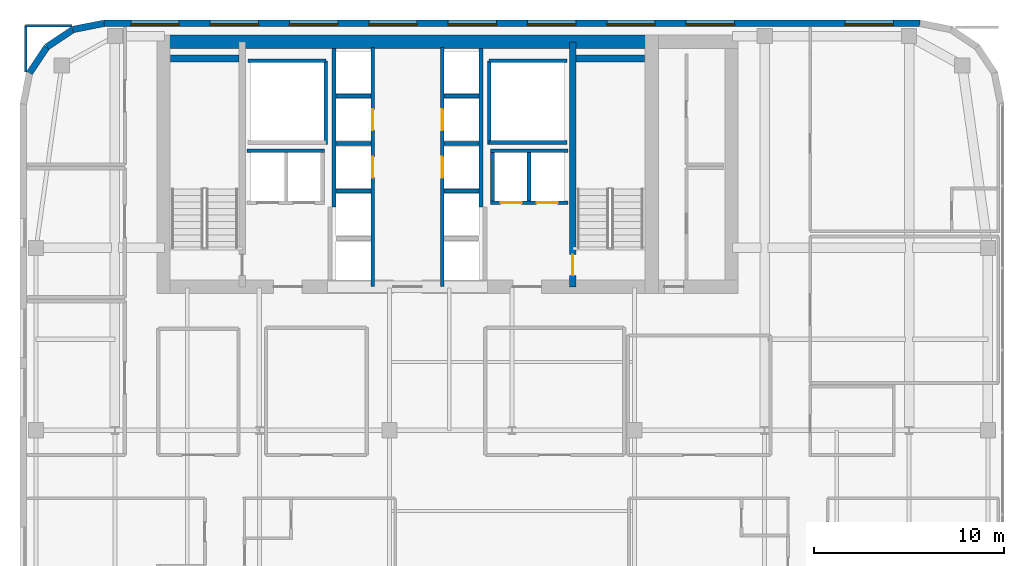
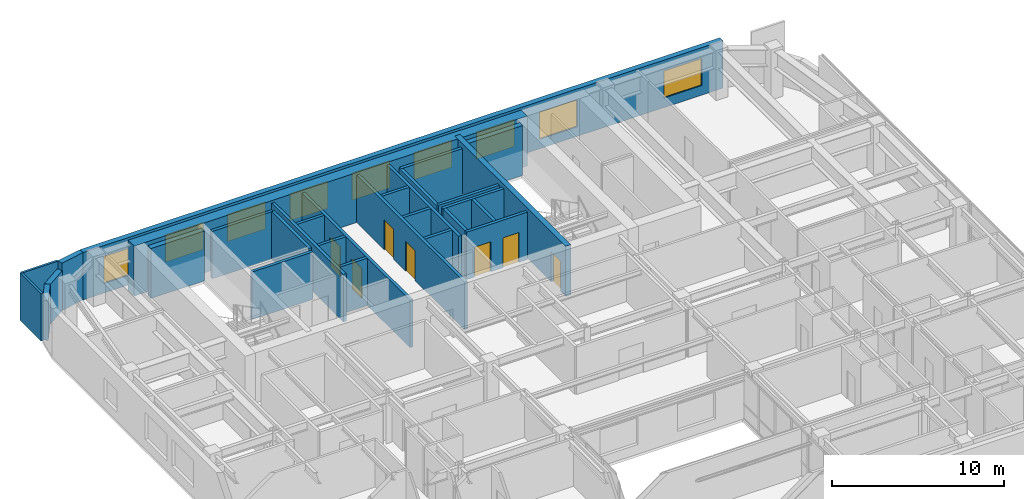
# One storey, part 17 of 20: 30 walls, 9 windows, 7 doors, 16 openings.
"""IFC4 building model written with IfcOpenShell, lengths in metres."""

from ifc_helpers import new_model, si_unit, direction, frame, frame_2d, origin, place, context, subcontext, project, spatial, rectangle, extrude, source, transform, mapped, material, layer, layer_set, type_object, type_shapes, element, fill, save


model = new_model("IFC4")

# Units and contexts
model_context = context("Model", 3, precision=1e-05, world=origin(), true_north=direction((0.0, 1.0)))
body_context = subcontext(model_context, "Body", "Model", "MODEL_VIEW")
ifc_project = project(units=[si_unit("LENGTHUNIT", "METRE"), si_unit("AREAUNIT", "SQUARE_METRE"), si_unit("VOLUMEUNIT", "CUBIC_METRE"), si_unit("PLANEANGLEUNIT", "RADIAN"), si_unit("MASSUNIT", "GRAM", prefix="KILO")], contexts=[model_context])

# Site, building, storey
site_placement = place(None, origin())
site = spatial("IfcSite", under=ifc_project, at=site_placement, CompositionType="ELEMENT")
building_placement = place(site_placement, origin())
building = spatial("IfcBuilding", under=site, at=building_placement, Name="Tolvann Quenvar Hotel", CompositionType="ELEMENT")
storey_placement = place(building_placement, frame((0.0, 0.0, 171.89990234375)))
storey = spatial("IfcBuildingStorey", under=building, at=storey_placement, Name="L45", CompositionType="ELEMENT", Elevation=171.89990234375)

# Wall
ifc_material_1 = material(Name="Concrete S65 (65 MPa)", Category="concrete")
ifc_layer_1 = layer(ifc_material_1, 0.699951171875)
ifc_layer_set_1 = layer_set([ifc_layer_1], Name="Concrete S65 (65 MPa)")
wall_type_1 = type_object("IfcWallType", Name="WALL_CORE_700", PredefinedType="SHEAR", material=ifc_layer_set_1)
wall_1_placement = place(storey_placement, frame((9.800048828125, 44.85009765625, 0.0), z_axis=(0.0, 0.0, 1.0), x_axis=(1.0, 0.0, 0.0)))
element("IfcWall", 1, at=wall_1_placement, inside=storey, type_object=wall_type_1, Name="Rear Core N Shear Wall (L45)", PredefinedType="SHEAR", context=body_context, shape_type="SweptSolid", body=[
    extrude(rectangle(XDim=26.39990234375, YDim=0.699951171875, at=frame_2d((13.199951171875, 0.0))), origin(), (0.0, 0.0, 1.0), 3.550048828125),
])

# Wall, opening, door
ifc_layer_2 = layer(ifc_material_1, 0.35009765625)
ifc_layer_set_2 = layer_set([ifc_layer_2], Name="Concrete S65 (65 MPa)")
wall_type_2 = type_object("IfcWallType", Name="WALL_CORE_INT_350", PredefinedType="SHEAR", material=ifc_layer_set_2)
wall_2_placement = place(storey_placement, frame((31.699951171875, 31.949951171875, 0.0), z_axis=(0.0, 0.0, 1.0), x_axis=(0.0, 1.0, 0.0)))
wall_2 = element("IfcWall", 2, at=wall_2_placement, inside=storey, type_object=wall_type_2, Name="Core Internal Web Shear Wall WEB-E (L45)", PredefinedType="SHEAR", context=body_context, shape_type="SweptSolid", body=[
    extrude(rectangle(XDim=12.900146484375, YDim=0.35009765625, at=frame_2d((6.4501953125, 0.0))), origin(), (0.0, 0.0, 1.0), 3.550048828125),
])
opening_1_placement = place(wall_2_placement, frame((1.7001953125, 0.0, 0.0), z_axis=(0.0, 0.0, 1.0), x_axis=(-1.0, 0.0, 0.0)))
opening_1 = element("IfcOpeningElement", 3, at=opening_1_placement, cuts=wall_2, Name="Opening FD-120", PredefinedType="OPENING", context=body_context, shape_type="SweptSolid", body=[
    extrude(rectangle(XDim=1.10009765625, YDim=2.1201171875, at=frame_2d((0.550048828125, 1.06005859375))), frame((0.0, 0.18505859375, 0.0), z_axis=(0.0, -1.0, 0.0), x_axis=(1.0, 0.0, 0.0)), (0.0, 0.0, 1.0), 0.3701171875),
])
ifc_material_2 = material(Name="Pressed galvanised steel fire-rated door set", Category="steel")
door_type_1 = type_object("IfcDoorType", Name="DOOR_FIRE_STAIR_1100", OperationType="NOTDEFINED", PredefinedType="DOOR", material=ifc_material_2)
shared_shape_1 = source(origin(), body_context, "Body", "SweptSolid", [
    extrude(rectangle(XDim=1.10009765625, YDim=2.1201171875, at=frame_2d((0.550048828125, 1.06005859375))), frame((0.0, 0.02490234375, 0.0), z_axis=(0.0, -1.0, 0.0), x_axis=(1.0, 0.0, 0.0)), (0.0, 0.0, 1.0), 0.050048828125),
])
type_shapes(door_type_1, [shared_shape_1])
door_1_placement = place(opening_1_placement, origin())
door_1 = element("IfcDoor", 4, at=door_1_placement, inside=storey, type_object=door_type_1, Name="Exit Stair ST-C2 Fire Door (L45)", OperationType="SINGLE_SWING_LEFT", OverallHeight=2.1201171875, OverallWidth=1.10009765625, PredefinedType="DOOR", context=body_context, shape_type="MappedRepresentation", body=[
    mapped(shared_shape_1, transform((0.0, 0.0, 0.0), x_axis=(1.0, 0.0, 0.0), y_axis=(0.0, 1.0, 0.0), z_axis=(0.0, 0.0, 1.0), scale=1.0)),
])
fill(opening_1, door_1)

# Walls
for number, where, z_axis, x_axis, name in (
    (5, (10.52001953125, 43.97509765625, 0.0), (0.0, 0.0, 1.0), (1.0, 0.0, 0.0), "Core Stair North Closing Shear Wall STC1-N (L45)"),
    (6, (31.8798828125, 43.97509765625, 0.0), (0.0, 0.0, 1.0), (1.0, 0.0, 0.0), "Core Stair North Closing Shear Wall STC2-N (L45)"),
):
    element("IfcWall", number, at=place(storey_placement, frame(where, z_axis=z_axis, x_axis=x_axis)), inside=storey, type_object=wall_type_2, Name=name, PredefinedType="SHEAR", context=body_context, shape_type="SweptSolid", body=[
        extrude(rectangle(XDim=3.60009765625, YDim=0.35009765625, at=frame_2d((1.800048828125, 0.0))), origin(), (0.0, 0.0, 1.0), 3.550048828125),
    ])

# Wall, openings, windows
ifc_material_3 = material(Name="Kiln-fired red and buff architectural clay brickwork and terracotta masonry", Category="masonry")
ifc_layer_3 = layer(ifc_material_3, 0.35009765625)
ifc_layer_set_3 = layer_set([ifc_layer_3], Name="Kiln-fired red and buff architectural clay brickwork and terracotta masonry")
wall_type_3 = type_object("IfcWallType", Name="WALL_EXT_BRICK_350", PredefinedType="SOLIDWALL", material=ifc_layer_set_3)
wall_3_placement = place(storey_placement, frame((49.98291015625, 45.824951171875, 0.0), z_axis=(0.0, 0.0, 1.0), x_axis=(-1.0, 0.0, 0.0)))
wall_3 = element("IfcWall", 7, at=wall_3_placement, inside=storey, type_object=wall_type_3, Name="Exterior Chicago Brick Wall L45-E18", PredefinedType="SOLIDWALL", context=body_context, shape_type="SweptSolid", body=[
    extrude(rectangle(XDim=42.9658203125, YDim=0.35009765625, at=frame_2d((21.48291015625, 0.0))), origin(), (0.0, 0.0, 1.0), 3.3701171875),
])
opening_2_placement = place(wall_3_placement, frame((1.4130859375, 0.0, 0.679931640625)))
opening_2 = element("IfcOpeningElement", 8, at=opening_2_placement, cuts=wall_3, Name="Opening W-09", PredefinedType="OPENING", context=body_context, shape_type="SweptSolid", body=[
    extrude(rectangle(XDim=2.550048828125, YDim=1.919921875, at=frame_2d((1.27490234375, 0.9599609375))), frame((0.0, 0.18505859375, 0.0), z_axis=(0.0, -1.0, 0.0), x_axis=(1.0, 0.0, 0.0)), (0.0, 0.0, 1.0), 0.3701171875),
])
opening_3_placement = place(wall_3_placement, frame((9.76611328125, 0.0, 0.679931640625)))
opening_3 = element("IfcOpeningElement", 9, at=opening_3_placement, cuts=wall_3, Name="Opening W-09", PredefinedType="OPENING", context=body_context, shape_type="SweptSolid", body=[
    extrude(rectangle(XDim=2.550048828125, YDim=1.919921875, at=frame_2d((1.27490234375, 0.9599609375))), frame((0.0, 0.18505859375, 0.0), z_axis=(0.0, -1.0, 0.0), x_axis=(1.0, 0.0, 0.0)), (0.0, 0.0, 1.0), 0.3701171875),
])
opening_4_placement = place(wall_3_placement, frame((13.943115234375, 0.0, 0.679931640625)))
opening_4 = element("IfcOpeningElement", 10, at=opening_4_placement, cuts=wall_3, Name="Opening W-09", PredefinedType="OPENING", context=body_context, shape_type="SweptSolid", body=[
    extrude(rectangle(XDim=2.550048828125, YDim=1.919921875, at=frame_2d((1.27490234375, 0.9599609375))), frame((0.0, 0.18505859375, 0.0), z_axis=(0.0, -1.0, 0.0), x_axis=(1.0, 0.0, 0.0)), (0.0, 0.0, 1.0), 0.3701171875),
])
opening_5_placement = place(wall_3_placement, frame((18.1201171875, 0.0, 0.679931640625)))
opening_5 = element("IfcOpeningElement", 11, at=opening_5_placement, cuts=wall_3, Name="Opening W-09", PredefinedType="OPENING", context=body_context, shape_type="SweptSolid", body=[
    extrude(rectangle(XDim=2.550048828125, YDim=1.919921875, at=frame_2d((1.27490234375, 0.9599609375))), frame((0.0, 0.18505859375, 0.0), z_axis=(0.0, -1.0, 0.0), x_axis=(1.0, 0.0, 0.0)), (0.0, 0.0, 1.0), 0.3701171875),
])
opening_6_placement = place(wall_3_placement, frame((22.2958984375, 0.0, 0.679931640625)))
opening_6 = element("IfcOpeningElement", 12, at=opening_6_placement, cuts=wall_3, Name="Opening W-09", PredefinedType="OPENING", context=body_context, shape_type="SweptSolid", body=[
    extrude(rectangle(XDim=2.550048828125, YDim=1.919921875, at=frame_2d((1.27490234375, 0.9599609375))), frame((0.0, 0.18505859375, 0.0), z_axis=(0.0, -1.0, 0.0), x_axis=(1.0, 0.0, 0.0)), (0.0, 0.0, 1.0), 0.3701171875),
])
opening_7_placement = place(wall_3_placement, frame((26.472900390625, 0.0, 0.679931640625)))
opening_7 = element("IfcOpeningElement", 13, at=opening_7_placement, cuts=wall_3, Name="Opening W-09", PredefinedType="OPENING", context=body_context, shape_type="SweptSolid", body=[
    extrude(rectangle(XDim=2.550048828125, YDim=1.919921875, at=frame_2d((1.27490234375, 0.9599609375))), frame((0.0, 0.18505859375, 0.0), z_axis=(0.0, -1.0, 0.0), x_axis=(1.0, 0.0, 0.0)), (0.0, 0.0, 1.0), 0.3701171875),
])
opening_8_placement = place(wall_3_placement, frame((30.64892578125, 0.0, 0.679931640625)))
opening_8 = element("IfcOpeningElement", 14, at=opening_8_placement, cuts=wall_3, Name="Opening W-09", PredefinedType="OPENING", context=body_context, shape_type="SweptSolid", body=[
    extrude(rectangle(XDim=2.550048828125, YDim=1.919921875, at=frame_2d((1.27490234375, 0.9599609375))), frame((0.0, 0.18505859375, 0.0), z_axis=(0.0, -1.0, 0.0), x_axis=(1.0, 0.0, 0.0)), (0.0, 0.0, 1.0), 0.3701171875),
])
opening_9_placement = place(wall_3_placement, frame((34.825927734375, 0.0, 0.679931640625)))
opening_9 = element("IfcOpeningElement", 15, at=opening_9_placement, cuts=wall_3, Name="Opening W-09", PredefinedType="OPENING", context=body_context, shape_type="SweptSolid", body=[
    extrude(rectangle(XDim=2.550048828125, YDim=1.919921875, at=frame_2d((1.27490234375, 0.9599609375))), frame((0.0, 0.18505859375, 0.0), z_axis=(0.0, -1.0, 0.0), x_axis=(1.0, 0.0, 0.0)), (0.0, 0.0, 1.0), 0.3701171875),
])
opening_10_placement = place(wall_3_placement, frame((39.001953125, 0.0, 0.679931640625)))
opening_10 = element("IfcOpeningElement", 16, at=opening_10_placement, cuts=wall_3, Name="Opening W-09", PredefinedType="OPENING", context=body_context, shape_type="SweptSolid", body=[
    extrude(rectangle(XDim=2.550048828125, YDim=1.919921875, at=frame_2d((1.27490234375, 0.9599609375))), frame((0.0, 0.18505859375, 0.0), z_axis=(0.0, -1.0, 0.0), x_axis=(1.0, 0.0, 0.0)), (0.0, 0.0, 1.0), 0.3701171875),
])
ifc_material_4 = material(Name="Thermally broken bronze-anodised aluminium frame with double low-E glazing", Category="aluminium")
window_type = type_object("IfcWindowType", Name="WIN_LNG_2550x1950", PartitioningType="TRIPLE_PANEL_HORIZONTAL", PredefinedType="WINDOW", material=ifc_material_4)
shared_shape_2 = source(origin(), body_context, "Body", "SweptSolid", [
    extrude(rectangle(XDim=2.550048828125, YDim=1.919921875, at=frame_2d((1.27490234375, 0.9599609375))), frame((0.0, 0.090087890625, 0.0), z_axis=(0.0, -1.0, 0.0), x_axis=(1.0, 0.0, 0.0)), (0.0, 0.0, 1.0), 0.06005859375),
])
type_shapes(window_type, [shared_shape_2])
window_1_placement = place(opening_2_placement, origin())
window_1 = element("IfcWindow", 17, at=window_1_placement, inside=storey, type_object=window_type, Name="Chicago Window W-09 (EW-L45-E18-W01)", OverallHeight=1.919921875, OverallWidth=2.550048828125, PartitioningType="TRIPLE_PANEL_HORIZONTAL", PredefinedType="WINDOW", context=body_context, shape_type="MappedRepresentation", body=[
    mapped(shared_shape_2, transform((0.0, 0.0, 0.0), x_axis=(1.0, 0.0, 0.0), y_axis=(0.0, 1.0, 0.0), z_axis=(0.0, 0.0, 1.0), scale=1.0)),
])
fill(opening_2, window_1)
window_2_placement = place(opening_3_placement, origin())
window_2 = element("IfcWindow", 18, at=window_2_placement, inside=storey, type_object=window_type, Name="Chicago Window W-09 (EW-L45-E18-W02)", OverallHeight=1.919921875, OverallWidth=2.550048828125, PartitioningType="TRIPLE_PANEL_HORIZONTAL", PredefinedType="WINDOW", context=body_context, shape_type="MappedRepresentation", body=[
    mapped(shared_shape_2, transform((0.0, 0.0, 0.0), x_axis=(1.0, 0.0, 0.0), y_axis=(0.0, 1.0, 0.0), z_axis=(0.0, 0.0, 1.0), scale=1.0)),
])
fill(opening_3, window_2)
window_3_placement = place(opening_4_placement, origin())
window_3 = element("IfcWindow", 19, at=window_3_placement, inside=storey, type_object=window_type, Name="Chicago Window W-09 (EW-L45-E18-W03)", OverallHeight=1.919921875, OverallWidth=2.550048828125, PartitioningType="TRIPLE_PANEL_HORIZONTAL", PredefinedType="WINDOW", context=body_context, shape_type="MappedRepresentation", body=[
    mapped(shared_shape_2, transform((0.0, 0.0, 0.0), x_axis=(1.0, 0.0, 0.0), y_axis=(0.0, 1.0, 0.0), z_axis=(0.0, 0.0, 1.0), scale=1.0)),
])
fill(opening_4, window_3)
window_4_placement = place(opening_5_placement, origin())
window_4 = element("IfcWindow", 20, at=window_4_placement, inside=storey, type_object=window_type, Name="Chicago Window W-09 (EW-L45-E18-W04)", OverallHeight=1.919921875, OverallWidth=2.550048828125, PartitioningType="TRIPLE_PANEL_HORIZONTAL", PredefinedType="WINDOW", context=body_context, shape_type="MappedRepresentation", body=[
    mapped(shared_shape_2, transform((0.0, 0.0, 0.0), x_axis=(1.0, 0.0, 0.0), y_axis=(0.0, 1.0, 0.0), z_axis=(0.0, 0.0, 1.0), scale=1.0)),
])
fill(opening_5, window_4)
window_5_placement = place(opening_6_placement, origin())
window_5 = element("IfcWindow", 21, at=window_5_placement, inside=storey, type_object=window_type, Name="Chicago Window W-09 (EW-L45-E18-W05)", OverallHeight=1.919921875, OverallWidth=2.550048828125, PartitioningType="TRIPLE_PANEL_HORIZONTAL", PredefinedType="WINDOW", context=body_context, shape_type="MappedRepresentation", body=[
    mapped(shared_shape_2, transform((0.0, 0.0, 0.0), x_axis=(1.0, 0.0, 0.0), y_axis=(0.0, 1.0, 0.0), z_axis=(0.0, 0.0, 1.0), scale=1.0)),
])
fill(opening_6, window_5)
window_6_placement = place(opening_7_placement, origin())
window_6 = element("IfcWindow", 22, at=window_6_placement, inside=storey, type_object=window_type, Name="Chicago Window W-09 (EW-L45-E18-W06)", OverallHeight=1.919921875, OverallWidth=2.550048828125, PartitioningType="TRIPLE_PANEL_HORIZONTAL", PredefinedType="WINDOW", context=body_context, shape_type="MappedRepresentation", body=[
    mapped(shared_shape_2, transform((0.0, 0.0, 0.0), x_axis=(1.0, 0.0, 0.0), y_axis=(0.0, 1.0, 0.0), z_axis=(0.0, 0.0, 1.0), scale=1.0)),
])
fill(opening_7, window_6)
window_7_placement = place(opening_8_placement, origin())
window_7 = element("IfcWindow", 23, at=window_7_placement, inside=storey, type_object=window_type, Name="Chicago Window W-09 (EW-L45-E18-W07)", OverallHeight=1.919921875, OverallWidth=2.550048828125, PartitioningType="TRIPLE_PANEL_HORIZONTAL", PredefinedType="WINDOW", context=body_context, shape_type="MappedRepresentation", body=[
    mapped(shared_shape_2, transform((0.0, 0.0, 0.0), x_axis=(1.0, 0.0, 0.0), y_axis=(0.0, 1.0, 0.0), z_axis=(0.0, 0.0, 1.0), scale=1.0)),
])
fill(opening_8, window_7)
window_8_placement = place(opening_9_placement, origin())
window_8 = element("IfcWindow", 24, at=window_8_placement, inside=storey, type_object=window_type, Name="Chicago Window W-09 (EW-L45-E18-W08)", OverallHeight=1.919921875, OverallWidth=2.550048828125, PartitioningType="TRIPLE_PANEL_HORIZONTAL", PredefinedType="WINDOW", context=body_context, shape_type="MappedRepresentation", body=[
    mapped(shared_shape_2, transform((0.0, 0.0, 0.0), x_axis=(1.0, 0.0, 0.0), y_axis=(0.0, 1.0, 0.0), z_axis=(0.0, 0.0, 1.0), scale=1.0)),
])
fill(opening_9, window_8)
window_9_placement = place(opening_10_placement, origin())
window_9 = element("IfcWindow", 25, at=window_9_placement, inside=storey, type_object=window_type, Name="Chicago Window W-09 (EW-L45-E18-W09)", OverallHeight=1.919921875, OverallWidth=2.550048828125, PartitioningType="TRIPLE_PANEL_HORIZONTAL", PredefinedType="WINDOW", context=body_context, shape_type="MappedRepresentation", body=[
    mapped(shared_shape_2, transform((0.0, 0.0, 0.0), x_axis=(1.0, 0.0, 0.0), y_axis=(0.0, 1.0, 0.0), z_axis=(0.0, 0.0, 1.0), scale=1.0)),
])
fill(opening_10, window_9)

# Walls
wall_4_placement = place(storey_placement, frame((7.01708984375, 45.824951171875, 0.0), z_axis=(0.0, 0.0, 1.0), x_axis=(-0.980788844421, -0.195072403631, 0.0)))
element("IfcWall", 26, at=wall_4_placement, inside=storey, type_object=wall_type_3, Name="Exterior Chicago Brick Wall L45-E19", PredefinedType="SOLIDWALL", context=body_context, shape_type="SweptSolid", body=[
    extrude(rectangle(XDim=1.66455078125, YDim=0.35009765625, at=frame_2d((0.832275390625, 0.0))), origin(), (0.0, 0.0, 1.0), 3.3701171875),
])
for number, where, z_axis, x_axis, name in (
    (27, (5.384521484375, 45.500244140625, 0.0), (0.0, 0.0, 1.0), (-0.831502623162, -0.555520825599, 0.0), "Exterior Chicago Brick Wall L45-E20"),
    (28, (4.014892578125, 44.585205078125, 0.0), (0.0, 0.0, 1.0), (-0.555623290322, -0.831434158098, 0.0), "Exterior Chicago Brick Wall L45-E21"),
):
    element("IfcWall", number, at=place(storey_placement, frame(where, z_axis=z_axis, x_axis=x_axis)), inside=storey, type_object=wall_type_3, Name=name, PredefinedType="SOLIDWALL", context=body_context, shape_type="SweptSolid", body=[
        extrude(rectangle(XDim=1.647216796875, YDim=0.35009765625, at=frame_2d((0.82373046875, 0.0))), origin(), (0.0, 0.0, 1.0), 2.83203125),
    ])
ifc_material_5 = material(Name="Acoustic twin-stud fire-rated gypsum plasterboard partition")
ifc_layer_4 = layer(ifc_material_5, 0.14990234375)
ifc_layer_set_4 = layer_set([ifc_layer_4], Name="Acoustic twin-stud fire-rated gypsum plasterboard partition")
wall_type_4 = type_object("IfcWallType", Name="WALL_PART_SUITE_150", PredefinedType="PARTITIONING", material=ifc_layer_set_4)
for number, where, z_axis, x_axis, name in (
    (29, (2.89990234375, 45.699951171875, 0.0), (0.0, 0.0, 1.0), (1.0, 0.0, 0.0), "Interior Partition PT-SPC-L45-TEA-N"),
    (30, (2.89990234375, 43.2548828125, 0.0), (0.0, 0.0, 1.0), (0.0, 1.0, 0.0), "Interior Partition PT-SPC-L45-TEA-W"),
):
    element("IfcWall", number, at=place(storey_placement, frame(where, z_axis=z_axis, x_axis=x_axis)), inside=storey, type_object=wall_type_4, Name=name, PredefinedType="PARTITIONING", context=body_context, shape_type="SweptSolid", body=[
        extrude(rectangle(XDim=2.445068359375, YDim=0.14990234375, at=frame_2d((1.22265625, 0.0))), origin(), (0.0, 0.0, 1.0), 3.3701171875),
    ])
ifc_material_6 = material(Name="Concrete N40 (40 MPa)", Category="concrete")
ifc_layer_5 = layer(ifc_material_6, 0.199951171875)
ifc_layer_set_5 = layer_set([ifc_layer_5], Name="Concrete N40 (40 MPa)")
wall_type_5 = type_object("IfcWallType", Name="WALL_SHAFT_200", PredefinedType="SOLIDWALL", material=ifc_layer_set_5)
wall_5_placement = place(storey_placement, frame((18.699951171875, 39.449951171875, 0.0), z_axis=(0.0, 0.0, 1.0), x_axis=(0.0, 1.0, 0.0)))
element("IfcWall", 31, at=wall_5_placement, inside=storey, type_object=wall_type_5, Name="Service Riser W Shaft Wall IN (L45)", PredefinedType="SOLIDWALL", context=body_context, shape_type="SweptSolid", body=[
    extrude(rectangle(XDim=4.400146484375, YDim=0.199951171875, at=frame_2d((2.2001953125, 0.0))), origin(), (0.0, 0.0, 1.0), 3.3701171875),
])
wall_6_placement = place(storey_placement, frame((14.60009765625, 43.85009765625, 0.0), z_axis=(0.0, 0.0, 1.0), x_axis=(1.0, 0.0, 0.0)))
element("IfcWall", 32, at=wall_6_placement, inside=storey, type_object=wall_type_5, Name="Service Riser W Shaft Wall N (L45)", PredefinedType="SOLIDWALL", context=body_context, shape_type="SweptSolid", body=[
    extrude(rectangle(XDim=4.099853515625, YDim=0.199951171875, at=frame_2d((2.0498046875, 0.0))), origin(), (0.0, 0.0, 1.0), 3.3701171875),
])
wall_7_placement = place(storey_placement, frame((27.300048828125, 39.449951171875, 0.0), z_axis=(0.0, 0.0, 1.0), x_axis=(0.0, 1.0, 0.0)))
element("IfcWall", 33, at=wall_7_placement, inside=storey, type_object=wall_type_5, Name="Service Riser E Shaft Wall IN (L45)", PredefinedType="SOLIDWALL", context=body_context, shape_type="SweptSolid", body=[
    extrude(rectangle(XDim=4.400146484375, YDim=0.199951171875, at=frame_2d((2.2001953125, 0.0))), origin(), (0.0, 0.0, 1.0), 3.3701171875),
])
for number, where, z_axis, x_axis, name in (
    (34, (27.300048828125, 39.550048828125, 0.0), (0.0, 0.0, 1.0), (1.0, 0.0, 0.0), "Service Riser E Shaft Wall S (L45)"),
    (35, (27.300048828125, 43.85009765625, 0.0), (0.0, 0.0, 1.0), (1.0, 0.0, 0.0), "Service Riser E Shaft Wall N (L45)"),
):
    element("IfcWall", number, at=place(storey_placement, frame(where, z_axis=z_axis, x_axis=x_axis)), inside=storey, type_object=wall_type_5, Name=name, PredefinedType="SOLIDWALL", context=body_context, shape_type="SweptSolid", body=[
        extrude(rectangle(XDim=4.099853515625, YDim=0.199951171875, at=frame_2d((2.0498046875, 0.0))), origin(), (0.0, 0.0, 1.0), 3.3701171875),
    ])

# Wall, openings, doors
wall_8_placement = place(storey_placement, frame((21.169921875, 31.9599609375, 0.0), z_axis=(0.0, 0.0, 1.0), x_axis=(0.0, 1.0, 0.0)))
wall_8 = element("IfcWall", 36, at=wall_8_placement, inside=storey, type_object=wall_type_5, Name="Lift Bank E21.1C1 Hoistway Front Wall (L45)", PredefinedType="SOLIDWALL", context=body_context, shape_type="SweptSolid", body=[
    extrude(rectangle(XDim=12.580078125, YDim=0.199951171875, at=frame_2d((6.2900390625, 0.0))), origin(), (0.0, 0.0, 1.0), 3.3701171875),
])
opening_11_placement = place(wall_8_placement, frame((5.739990234375, 0.0, 0.0)))
opening_11 = element("IfcOpeningElement", 37, at=opening_11_placement, cuts=wall_8, Name="Opening LD-01", PredefinedType="OPENING", context=body_context, shape_type="SweptSolid", body=[
    extrude(rectangle(XDim=1.10009765625, YDim=2.1201171875, at=frame_2d((0.550048828125, 1.06005859375))), frame((0.0, 0.10986328125, 0.0), z_axis=(0.0, -1.0, 0.0), x_axis=(1.0, 0.0, 0.0)), (0.0, 0.0, 1.0), 0.219970703125),
])
opening_12_placement = place(wall_8_placement, frame((8.239990234375, 0.0, 0.0)))
opening_12 = element("IfcOpeningElement", 38, at=opening_12_placement, cuts=wall_8, Name="Opening LD-01", PredefinedType="OPENING", context=body_context, shape_type="SweptSolid", body=[
    extrude(rectangle(XDim=1.10009765625, YDim=2.1201171875, at=frame_2d((0.550048828125, 1.06005859375))), frame((0.0, 0.10986328125, 0.0), z_axis=(0.0, -1.0, 0.0), x_axis=(1.0, 0.0, 0.0)), (0.0, 0.0, 1.0), 0.219970703125),
])
ifc_material_7 = material(Name="Brushed 316 stainless steel automatic sliding lift landing door", Category="steel")
door_type_2 = type_object("IfcDoorType", Name="DOOR_LIFT_SLIDE_1100", OperationType="NOTDEFINED", PredefinedType="DOOR", material=ifc_material_7)
shared_shape_3 = source(origin(), body_context, "Body", "SweptSolid", [
    extrude(rectangle(XDim=1.10009765625, YDim=2.1201171875, at=frame_2d((0.550048828125, 1.06005859375))), frame((0.0, 0.02490234375, 0.0), z_axis=(0.0, -1.0, 0.0), x_axis=(1.0, 0.0, 0.0)), (0.0, 0.0, 1.0), 0.050048828125),
])
type_shapes(door_type_2, [shared_shape_3])
door_2_placement = place(opening_11_placement, origin())
door_2 = element("IfcDoor", 39, at=door_2_placement, inside=storey, type_object=door_type_2, Name="Lift PM-1 Sliding Landing Door (L45)", OperationType="SLIDING_TO_RIGHT", OverallHeight=2.1201171875, OverallWidth=1.10009765625, PredefinedType="DOOR", context=body_context, shape_type="MappedRepresentation", body=[
    mapped(shared_shape_3, transform((0.0, 0.0, 0.0), x_axis=(1.0, 0.0, 0.0), y_axis=(0.0, 1.0, 0.0), z_axis=(0.0, 0.0, 1.0), scale=1.0)),
])
fill(opening_11, door_2)
door_3_placement = place(opening_12_placement, origin())
door_3 = element("IfcDoor", 40, at=door_3_placement, inside=storey, type_object=door_type_2, Name="Lift PM-2 Sliding Landing Door (L45)", OperationType="SLIDING_TO_LEFT", OverallHeight=2.1201171875, OverallWidth=1.10009765625, PredefinedType="DOOR", context=body_context, shape_type="MappedRepresentation", body=[
    mapped(shared_shape_3, transform((0.0, 0.0, 0.0), x_axis=(1.0, 0.0, 0.0), y_axis=(0.0, 1.0, 0.0), z_axis=(0.0, 0.0, 1.0), scale=1.0)),
])
fill(opening_12, door_3)

# Walls
wall_9_placement = place(storey_placement, frame((19.1298828125, 36.159912109375, 0.0), z_axis=(0.0, 0.0, 1.0), x_axis=(0.0, 1.0, 0.0)))
element("IfcWall", 41, at=wall_9_placement, inside=storey, type_object=wall_type_5, Name="Lift Bank E21.1C1 Hoistway Rear Wall (L45)", PredefinedType="SOLIDWALL", context=body_context, shape_type="SweptSolid", body=[
    extrude(rectangle(XDim=8.336181640625, YDim=0.199951171875, at=frame_2d((4.16796875, 0.0))), origin(), (0.0, 0.0, 1.0), 3.3701171875),
])
for number, where, z_axis, x_axis, name in (
    (42, (19.22998046875, 37.0, 0.0), (0.0, 0.0, 1.0), (1.0, 0.0, 0.0), "Lift Bank E21.1C1 Divider Wall 2 (L45)"),
    (43, (19.22998046875, 39.5, 0.0), (0.0, 0.0, 1.0), (1.0, 0.0, 0.0), "Lift Bank E21.1C1 Divider Wall 3 (L45)"),
    (44, (19.22998046875, 42.0, 0.0), (0.0, 0.0, 1.0), (1.0, 0.0, 0.0), "Lift Bank E21.1C1 Divider Wall 4 (L45)"),
):
    element("IfcWall", number, at=place(storey_placement, frame(where, z_axis=z_axis, x_axis=x_axis)), inside=storey, type_object=wall_type_5, Name=name, PredefinedType="SOLIDWALL", context=body_context, shape_type="SweptSolid", body=[
        extrude(rectangle(XDim=1.840087890625, YDim=0.199951171875, at=frame_2d((0.919921875, 0.0))), origin(), (0.0, 0.0, 1.0), 3.3701171875),
    ])

# Wall, openings, doors
wall_10_placement = place(storey_placement, frame((27.375, 36.3798828125, 0.0), z_axis=(0.0, 0.0, 1.0), x_axis=(1.0, 0.0, 0.0)))
wall_10 = element("IfcWall", 45, at=wall_10_placement, inside=storey, type_object=wall_type_5, Name="Lift Bank SEC1 Hoistway Front Wall (L45)", PredefinedType="SOLIDWALL", context=body_context, shape_type="SweptSolid", body=[
    extrude(rectangle(XDim=4.074951171875, YDim=0.199951171875, at=frame_2d((2.03759765625, 0.0))), origin(), (0.0, 0.0, 1.0), 3.3701171875),
])
opening_13_placement = place(wall_10_placement, frame((0.52490234375, 0.0, 0.0)))
opening_13 = element("IfcOpeningElement", 46, at=opening_13_placement, cuts=wall_10, Name="Opening LD-01", PredefinedType="OPENING", context=body_context, shape_type="SweptSolid", body=[
    extrude(rectangle(XDim=1.10009765625, YDim=2.1201171875, at=frame_2d((0.550048828125, 1.06005859375))), frame((0.0, 0.10986328125, 0.0), z_axis=(0.0, -1.0, 0.0), x_axis=(1.0, 0.0, 0.0)), (0.0, 0.0, 1.0), 0.219970703125),
])
opening_14_placement = place(wall_10_placement, frame((2.425048828125, 0.0, 0.0)))
opening_14 = element("IfcOpeningElement", 47, at=opening_14_placement, cuts=wall_10, Name="Opening LD-01", PredefinedType="OPENING", context=body_context, shape_type="SweptSolid", body=[
    extrude(rectangle(XDim=1.10009765625, YDim=2.1201171875, at=frame_2d((0.550048828125, 1.06005859375))), frame((0.0, 0.10986328125, 0.0), z_axis=(0.0, -1.0, 0.0), x_axis=(1.0, 0.0, 0.0)), (0.0, 0.0, 1.0), 0.219970703125),
])
door_4_placement = place(opening_13_placement, origin())
door_4 = element("IfcDoor", 48, at=door_4_placement, inside=storey, type_object=door_type_2, Name="Lift SV-2 Sliding Landing Door (L45)", OperationType="SLIDING_TO_LEFT", OverallHeight=2.1201171875, OverallWidth=1.10009765625, PredefinedType="DOOR", context=body_context, shape_type="MappedRepresentation", body=[
    mapped(shared_shape_3, transform((0.0, 0.0, 0.0), x_axis=(1.0, 0.0, 0.0), y_axis=(0.0, 1.0, 0.0), z_axis=(0.0, 0.0, 1.0), scale=1.0)),
])
fill(opening_13, door_4)
door_5_placement = place(opening_14_placement, origin())
door_5 = element("IfcDoor", 49, at=door_5_placement, inside=storey, type_object=door_type_2, Name="Lift FF-2 Sliding Landing Door (L45)", OperationType="SLIDING_TO_RIGHT", OverallHeight=2.1201171875, OverallWidth=1.10009765625, PredefinedType="DOOR", context=body_context, shape_type="MappedRepresentation", body=[
    mapped(shared_shape_3, transform((0.0, 0.0, 0.0), x_axis=(1.0, 0.0, 0.0), y_axis=(0.0, 1.0, 0.0), z_axis=(0.0, 0.0, 1.0), scale=1.0)),
])
fill(opening_14, door_5)

# Walls
wall_11_placement = place(storey_placement, frame((27.375, 39.1201171875, 0.0), z_axis=(0.0, 0.0, 1.0), x_axis=(1.0, 0.0, 0.0)))
element("IfcWall", 50, at=wall_11_placement, inside=storey, type_object=wall_type_5, Name="Lift Bank SEC1 Hoistway Rear Wall (L45)", PredefinedType="SOLIDWALL", context=body_context, shape_type="SweptSolid", body=[
    extrude(rectangle(XDim=4.074951171875, YDim=0.199951171875, at=frame_2d((2.03759765625, 0.0))), origin(), (0.0, 0.0, 1.0), 3.3701171875),
])
for number, where, z_axis, x_axis, name in (
    (51, (27.47509765625, 36.47998046875, 0.0), (0.0, 0.0, 1.0), (0.0, 1.0, 0.0), "Lift Bank SEC1 Hoistway Cheek Wall 1 (L45)"),
    (52, (29.387451171875, 36.47998046875, 0.0), (0.0, 0.0, 1.0), (0.0, 1.0, 0.0), "Lift Bank SEC1 Divider Wall 1 (L45)"),
):
    element("IfcWall", number, at=place(storey_placement, frame(where, z_axis=z_axis, x_axis=x_axis)), inside=storey, type_object=wall_type_5, Name=name, PredefinedType="SOLIDWALL", context=body_context, shape_type="SweptSolid", body=[
        extrude(rectangle(XDim=2.5400390625, YDim=0.199951171875, at=frame_2d((1.27001953125, 0.0))), origin(), (0.0, 0.0, 1.0), 3.3701171875),
    ])
wall_12_placement = place(storey_placement, frame((14.550048828125, 39.1201171875, 0.0), z_axis=(0.0, 0.0, 1.0), x_axis=(1.0, 0.0, 0.0)))
element("IfcWall", 53, at=wall_12_placement, inside=storey, type_object=wall_type_5, Name="Lift Bank SWC1 Hoistway Rear Wall (L45)", PredefinedType="SOLIDWALL", context=body_context, shape_type="SweptSolid", body=[
    extrude(rectangle(XDim=4.074951171875, YDim=0.199951171875, at=frame_2d((2.03759765625, 0.0))), origin(), (0.0, 0.0, 1.0), 3.3701171875),
])

# Wall, openings, doors
wall_13_placement = place(storey_placement, frame((24.830078125, 31.9599609375, 0.0), z_axis=(0.0, 0.0, 1.0), x_axis=(0.0, 1.0, 0.0)))
wall_13 = element("IfcWall", 54, at=wall_13_placement, inside=storey, type_object=wall_type_5, Name="Lift Bank W24.9C1 Hoistway Front Wall (L45)", PredefinedType="SOLIDWALL", context=body_context, shape_type="SweptSolid", body=[
    extrude(rectangle(XDim=12.580078125, YDim=0.199951171875, at=frame_2d((6.2900390625, 0.0))), origin(), (0.0, 0.0, 1.0), 3.3701171875),
])
opening_15_placement = place(wall_13_placement, frame((5.739990234375, 0.0, 0.0)))
opening_15 = element("IfcOpeningElement", 55, at=opening_15_placement, cuts=wall_13, Name="Opening LD-01", PredefinedType="OPENING", context=body_context, shape_type="SweptSolid", body=[
    extrude(rectangle(XDim=1.10009765625, YDim=2.1201171875, at=frame_2d((0.550048828125, 1.06005859375))), frame((0.0, 0.10986328125, 0.0), z_axis=(0.0, -1.0, 0.0), x_axis=(1.0, 0.0, 0.0)), (0.0, 0.0, 1.0), 0.219970703125),
])
opening_16_placement = place(wall_13_placement, frame((8.239990234375, 0.0, 0.0)))
opening_16 = element("IfcOpeningElement", 56, at=opening_16_placement, cuts=wall_13, Name="Opening LD-01", PredefinedType="OPENING", context=body_context, shape_type="SweptSolid", body=[
    extrude(rectangle(XDim=1.10009765625, YDim=2.1201171875, at=frame_2d((0.550048828125, 1.06005859375))), frame((0.0, 0.10986328125, 0.0), z_axis=(0.0, -1.0, 0.0), x_axis=(1.0, 0.0, 0.0)), (0.0, 0.0, 1.0), 0.219970703125),
])
door_6_placement = place(opening_15_placement, origin())
door_6 = element("IfcDoor", 57, at=door_6_placement, inside=storey, type_object=door_type_2, Name="Lift PM-3 Sliding Landing Door (L45)", OperationType="SLIDING_TO_RIGHT", OverallHeight=2.1201171875, OverallWidth=1.10009765625, PredefinedType="DOOR", context=body_context, shape_type="MappedRepresentation", body=[
    mapped(shared_shape_3, transform((0.0, 0.0, 0.0), x_axis=(1.0, 0.0, 0.0), y_axis=(0.0, 1.0, 0.0), z_axis=(0.0, 0.0, 1.0), scale=1.0)),
])
fill(opening_15, door_6)
door_7_placement = place(opening_16_placement, origin())
door_7 = element("IfcDoor", 58, at=door_7_placement, inside=storey, type_object=door_type_2, Name="Lift PM-4 Sliding Landing Door (L45)", OperationType="SLIDING_TO_LEFT", OverallHeight=2.1201171875, OverallWidth=1.10009765625, PredefinedType="DOOR", context=body_context, shape_type="MappedRepresentation", body=[
    mapped(shared_shape_3, transform((0.0, 0.0, 0.0), x_axis=(1.0, 0.0, 0.0), y_axis=(0.0, 1.0, 0.0), z_axis=(0.0, 0.0, 1.0), scale=1.0)),
])
fill(opening_16, door_7)

# Walls
wall_14_placement = place(storey_placement, frame((26.8701171875, 36.159912109375, 0.0), z_axis=(0.0, 0.0, 1.0), x_axis=(0.0, 1.0, 0.0)))
element("IfcWall", 59, at=wall_14_placement, inside=storey, type_object=wall_type_5, Name="Lift Bank W24.9C1 Hoistway Rear Wall (L45)", PredefinedType="SOLIDWALL", context=body_context, shape_type="SweptSolid", body=[
    extrude(rectangle(XDim=8.336181640625, YDim=0.199951171875, at=frame_2d((4.16796875, 0.0))), origin(), (0.0, 0.0, 1.0), 3.3701171875),
])
for number, where, z_axis, x_axis, name in (
    (60, (24.929931640625, 37.0, 0.0), (0.0, 0.0, 1.0), (1.0, 0.0, 0.0), "Lift Bank W24.9C1 Divider Wall 2 (L45)"),
    (61, (24.929931640625, 39.5, 0.0), (0.0, 0.0, 1.0), (1.0, 0.0, 0.0), "Lift Bank W24.9C1 Divider Wall 3 (L45)"),
    (62, (24.929931640625, 42.0, 0.0), (0.0, 0.0, 1.0), (1.0, 0.0, 0.0), "Lift Bank W24.9C1 Divider Wall 4 (L45)"),
):
    element("IfcWall", number, at=place(storey_placement, frame(where, z_axis=z_axis, x_axis=x_axis)), inside=storey, type_object=wall_type_5, Name=name, PredefinedType="SOLIDWALL", context=body_context, shape_type="SweptSolid", body=[
        extrude(rectangle(XDim=1.840087890625, YDim=0.199951171875, at=frame_2d((0.919921875, 0.0))), origin(), (0.0, 0.0, 1.0), 3.3701171875),
    ])

save(model, "model.ifc")
